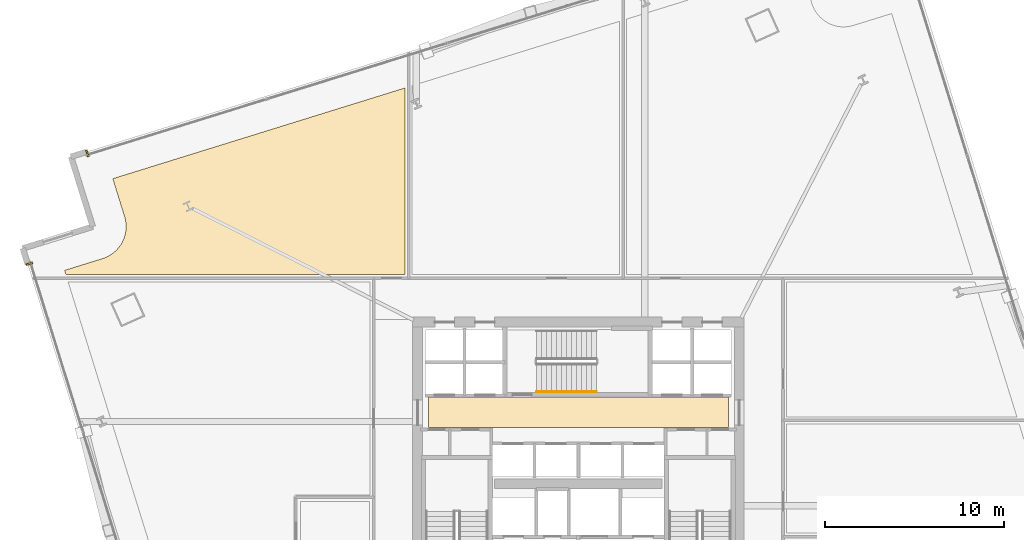
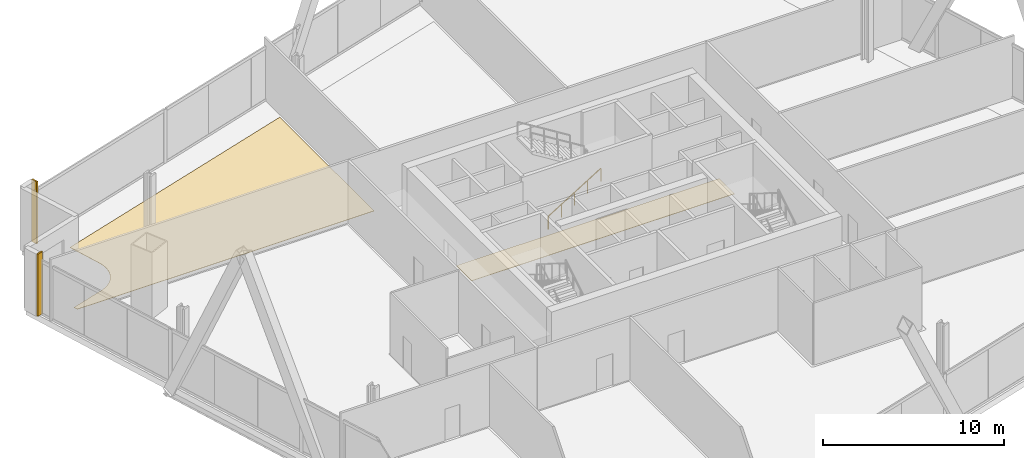
# One storey, part 24 of 26: 4 coverings, 1 railing.
"""IFC4 building model written with IfcOpenShell, lengths in metres."""

import ifcopenshell
import ifcopenshell.guid

model = None  # the IFC model being written
_history = None  # IfcOwnerHistory: only IFC2X3 demands one
_inside = {}  # id of a spatial element -> (the spatial element, [elements in it])
_under = {}  # id of a project, library or spatial element -> (it, [spatial elements below it])
_declared = {}  # id of a project -> (the project, [libraries it declares])
_typed = {}  # id of a type object -> (the type object, [elements of that type])
_made_of = {}  # id of a material, layer set ... -> (it, [elements and type objects made of it])


def new_model(schema):
    """Start an empty IFC model of exactly this schema.

    Asked for "IFC4X3", IfcOpenShell would pick the latest addendum, in which some entities
    have other attributes; the version numbers below select the first issue.
    IFC2X3 requires an IfcOwnerHistory on every rooted entity: one is made here for all.
    """
    global model, _history
    if schema == "IFC4X3":
        model = ifcopenshell.file(schema_version=(4, 3, 0, 0))
    else:
        model = ifcopenshell.file(schema=schema)
    _inside.clear()
    _under.clear()
    _declared.clear()
    _typed.clear()
    _made_of.clear()
    _history = None
    if model.schema == "IFC2X3":
        org = make("IfcOrganization", Name="unknown")
        user = make(
            "IfcPersonAndOrganization",
            ThePerson=make("IfcPerson", FamilyName="unknown"),
            TheOrganization=org,
        )
        app = make(
            "IfcApplication",
            ApplicationDeveloper=org,
            Version="unknown",
            ApplicationFullName="unknown",
            ApplicationIdentifier="unknown",
        )
        _history = make(
            "IfcOwnerHistory",
            OwningUser=user,
            OwningApplication=app,
            ChangeAction="ADDED",
            CreationDate=0,
        )
    return model


def make(cls, **values):
    """One entity of the class cls with the attributes given. An attribute that is None is left unset."""
    return model.create_entity(
        cls, **{name: value for name, value in values.items() if value is not None}
    )


def rooted(cls, **values):
    """An entity with a GlobalId (a new one), such as an element, a storey or a relation."""
    return make(cls, GlobalId=ifcopenshell.guid.new(), OwnerHistory=_history, **values)


def si_unit(unit_type, name, prefix=None):
    """IfcSIUnit, for example si_unit("LENGTHUNIT", "METRE", prefix="MILLI")."""
    return make("IfcSIUnit", UnitType=unit_type, Prefix=prefix, Name=name)


def assignment(units):
    """IfcUnitAssignment: the units of a project."""
    return None if units is None else make("IfcUnitAssignment", Units=units)


def point(xyz):
    """IfcCartesianPoint."""
    return None if xyz is None else make("IfcCartesianPoint", Coordinates=xyz)


def direction(xyz):
    """IfcDirection."""
    return None if xyz is None else make("IfcDirection", DirectionRatios=xyz)


def frame(location, z_axis=None, x_axis=None):
    """IfcAxis2Placement3D, a coordinate frame: its origin and axes. An axis left out is left unset."""
    return make(
        "IfcAxis2Placement3D",
        Location=point(location),
        Axis=direction(z_axis),
        RefDirection=direction(x_axis),
    )


def frame_2d(location, x_axis=None):
    """IfcAxis2Placement2D, a coordinate frame in the plane: its origin and x axis."""
    return make(
        "IfcAxis2Placement2D", Location=point(location), RefDirection=direction(x_axis)
    )


def origin():
    """The frame at (0, 0, 0) with its axes left unset."""
    return frame((0.0, 0.0, 0.0))


def origin_2d():
    """The frame at (0, 0) in the plane with its x axis left unset."""
    return frame_2d((0.0, 0.0))


def place(relative_to, where):
    """IfcLocalPlacement: puts the frame where relative to a parent placement (None: the world)."""
    return make(
        "IfcLocalPlacement", PlacementRelTo=relative_to, RelativePlacement=where
    )


def context(
    kind, dimensions, precision=None, world=None, true_north=None, identifier=None
):
    """IfcGeometricRepresentationContext, for example the 3D "Model" context."""
    return make(
        "IfcGeometricRepresentationContext",
        ContextIdentifier=identifier,
        ContextType=kind,
        CoordinateSpaceDimension=dimensions,
        Precision=precision,
        WorldCoordinateSystem=world,
        TrueNorth=true_north,
    )


def subcontext(parent, identifier, kind, view, scale=None):
    """IfcGeometricRepresentationSubContext, for example "Body" below "Model"."""
    return make(
        "IfcGeometricRepresentationSubContext",
        ContextIdentifier=identifier,
        ContextType=kind,
        ParentContext=parent,
        TargetScale=scale,
        TargetView=view,
    )


def project(units=None, contexts=None):
    """IfcProject with its units and contexts."""
    return rooted(
        "IfcProject",
        Name="project",
        RepresentationContexts=contexts,
        UnitsInContext=assignment(units),
    )


def spatial(cls, under=None, at=None, **own):
    """A site, building, storey or space (cls), placed at a placement, below another one or the project."""
    s = rooted(cls, ObjectPlacement=at, **own)
    if under is not None:
        _under.setdefault(under.id(), (under, []))[1].append(s)
    return s


def polyline(points):
    """IfcPolyline through the points."""
    return make("IfcPolyline", Points=[point(p) for p in points])


def profile(cls, at=None, kind="AREA", **sizes):
    """A parametric profile (cls). Its sizes go by their IFC names, for example OverallWidth=200.0."""
    return make(cls, ProfileType=kind, Position=at, **sizes)


def rectangle(**sizes):
    """IfcRectangleProfileDef."""
    return profile("IfcRectangleProfileDef", **sizes)


def outline(outer, holes=None, kind="AREA"):
    """IfcArbitraryClosedProfileDef: a profile drawn as a closed curve; with holes, ...WithVoids."""
    if holes is None:
        return make("IfcArbitraryClosedProfileDef", ProfileType=kind, OuterCurve=outer)
    return make(
        "IfcArbitraryProfileDefWithVoids",
        ProfileType=kind,
        OuterCurve=outer,
        InnerCurves=holes,
    )


def extrude(swept, where, along, depth):
    """IfcExtrudedAreaSolid: the profile swept, set in the frame where, extruded along a direction by depth."""
    return make(
        "IfcExtrudedAreaSolid",
        SweptArea=swept,
        Position=where,
        ExtrudedDirection=direction(along),
        Depth=depth,
    )


def shape(context_of_items, identifier, shape_type, items):
    """IfcShapeRepresentation: the items that make up one representation, for example the "Body"."""
    return make(
        "IfcShapeRepresentation",
        ContextOfItems=context_of_items,
        RepresentationIdentifier=identifier,
        RepresentationType=shape_type,
        Items=items,
    )


def source(mapping_origin, context_of_items, identifier, shape_type, items):
    """IfcRepresentationMap: a shape defined once, which mapped items show again and again."""
    return make(
        "IfcRepresentationMap",
        MappingOrigin=mapping_origin,
        MappedRepresentation=shape(context_of_items, identifier, shape_type, items),
    )


def transform(
    local_origin,
    x_axis=None,
    y_axis=None,
    z_axis=None,
    scale=None,
    scale2=None,
    scale3=None,
    uniform=True,
):
    """IfcCartesianTransformationOperator3D, or its non-uniform kind. x_axis, y_axis, z_axis: its Axis1, 2, 3."""
    if uniform:
        return make(
            "IfcCartesianTransformationOperator3D",
            Axis1=direction(x_axis),
            Axis2=direction(y_axis),
            LocalOrigin=point(local_origin),
            Scale=scale,
            Axis3=direction(z_axis),
        )
    return make(
        "IfcCartesianTransformationOperator3DnonUniform",
        Axis1=direction(x_axis),
        Axis2=direction(y_axis),
        LocalOrigin=point(local_origin),
        Scale=scale,
        Axis3=direction(z_axis),
        Scale2=scale2,
        Scale3=scale3,
    )


def mapped(mapping_source, mapping_target):
    """IfcMappedItem: shows the shape of a source again, moved by a transform."""
    return make(
        "IfcMappedItem", MappingSource=mapping_source, MappingTarget=mapping_target
    )


def material(Name=None, Category=None):
    """IfcMaterial."""
    return make("IfcMaterial", Name=Name, Category=Category)


def layer(
    of_material, thickness, ventilated=None, Name=None, Category=None, Priority=None
):
    """IfcMaterialLayer: one layer of a wall or slab, of a material (None: an air gap)."""
    return make(
        "IfcMaterialLayer",
        Material=of_material,
        LayerThickness=thickness,
        IsVentilated=ventilated,
        Name=Name,
        Category=Category,
        Priority=Priority,
    )


def layer_set(layers, Name=None):
    """IfcMaterialLayerSet."""
    return make("IfcMaterialLayerSet", MaterialLayers=layers, LayerSetName=Name)


def made_of(thing, what):
    """Note that an element or type object is made of a material, layer set ...; save() writes the relation."""
    if what is not None:
        _made_of.setdefault(what.id(), (what, []))[1].append(thing)
    return thing


def type_object(cls, material=None, **own):
    """A type object (cls), such as IfcWallType, which elements share."""
    return made_of(rooted(cls, **own), material)


def element(
    cls,
    number,
    at=None,
    inside=None,
    cuts=None,
    type_object=None,
    material=None,
    context=None,
    identifier="Body",
    shape_type=None,
    held_by="IfcProductDefinitionShape",
    body=None,
    shapes=None,
    **own,
):
    """One element of the class cls, such as IfcWall. Its Tag is "e" and its number.

    at: its placement. inside: the storey or other place that contains it. cuts: it is an
    opening in that element (IfcRelVoidsElement). A single representation is given by context,
    identifier, shape_type and body (its items); several are given by shapes. held_by: the class
    of the entity that holds the representations. save() writes the other relations.
    """
    e = rooted(cls, Tag="e%d" % number, ObjectPlacement=at, **own)
    if body is not None:
        shapes = [shape(context, identifier, shape_type, body)]
    if shapes is not None:
        e.Representation = make(held_by, Representations=shapes)
    if inside is not None:
        _inside.setdefault(inside.id(), (inside, []))[1].append(e)
    if cuts is not None:
        rooted(
            "IfcRelVoidsElement", RelatingBuildingElement=cuts, RelatedOpeningElement=e
        )
    if type_object is not None:
        _typed.setdefault(type_object.id(), (type_object, []))[1].append(e)
    return made_of(e, material)


def aggregate(whole, parts):
    """IfcRelAggregates: a whole, such as a stair, and the parts it consists of."""
    return rooted("IfcRelAggregates", RelatingObject=whole, RelatedObjects=parts)


def save(model, path):
    """Write the relations noted so far, then the file.

    IfcRelAggregates (storeys below a building ...), IfcRelContainedInSpatialStructure (elements
    in a storey), IfcRelDefinesByType, IfcRelAssociatesMaterial and IfcRelDeclares: one each for
    every whole, place, type object, material and project.
    """
    for whole, parts in _under.values():
        aggregate(whole, parts)
    for where, things in _inside.values():
        rooted(
            "IfcRelContainedInSpatialStructure",
            RelatedElements=things,
            RelatingStructure=where,
        )
    for kind, things in _typed.values():
        rooted("IfcRelDefinesByType", RelatedObjects=things, RelatingType=kind)
    for what, things in _made_of.values():
        rooted("IfcRelAssociatesMaterial", RelatedObjects=things, RelatingMaterial=what)
    for by, libraries in _declared.values():
        rooted("IfcRelDeclares", RelatingContext=by, RelatedDefinitions=libraries)
    model.write(path)


model = new_model("IFC4")

# Units and contexts
model_context = context("Model", 3, precision=1e-05, world=origin(), true_north=direction((0.0, 1.0)))
body_context = subcontext(model_context, "Body", "Model", "MODEL_VIEW")
ifc_project = project(units=[si_unit("LENGTHUNIT", "METRE"), si_unit("AREAUNIT", "SQUARE_METRE"), si_unit("VOLUMEUNIT", "CUBIC_METRE"), si_unit("PLANEANGLEUNIT", "RADIAN"), si_unit("MASSUNIT", "GRAM", prefix="KILO")], contexts=[model_context])

# Site, building, storey
site_placement = place(None, origin())
site = spatial("IfcSite", under=ifc_project, at=site_placement, CompositionType="ELEMENT")
building_placement = place(site_placement, origin())
building = spatial("IfcBuilding", under=site, at=building_placement, Name="Haldenkirk Collegiate Tower", CompositionType="ELEMENT")
storey_placement = place(building_placement, frame((0.0, 0.0, 85.949951171875)))
storey = spatial("IfcBuildingStorey", under=building, at=storey_placement, Name="L20", CompositionType="ELEMENT", Elevation=85.949951171875)

# Coverings
ifc_material_1 = material(Name="Polished collegiate terrazzo", Category="concrete")
ifc_layer_1 = layer(ifc_material_1, 0.02490234375)
ifc_layer_set_1 = layer_set([ifc_layer_1], Name="Polished collegiate terrazzo")
covering_type_1 = type_object("IfcCoveringType", Name="COV-FLOOR-TERRAZZO", PredefinedType="FLOORING", material=ifc_layer_set_1)
covering_1_placement = place(storey_placement, origin())
element("IfcCovering", 1, at=covering_1_placement, inside=storey, type_object=covering_type_1, Name="L20 polished terrazzo lobby finish", PredefinedType="FLOORING", context=body_context, shape_type="SweptSolid", body=[
    extrude(outline(polyline([(27.60009765625, 28.10009765625), (44.39990234375, 28.10009765625), (44.39990234375, 29.800048828125), (27.60009765625, 29.800048828125), (27.60009765625, 28.10009765625)])), origin(), (0.0, 0.0, 1.0), 0.025146484375),
])
ifc_material_2 = material(Name="Engineered collegiate oak acoustic flooring", Category="wood")
ifc_layer_2 = layer(ifc_material_2, 0.02197265625)
ifc_layer_set_2 = layer_set([ifc_layer_2], Name="Engineered collegiate oak acoustic flooring")
covering_type_2 = type_object("IfcCoveringType", Name="COV-FLOOR-TIMBER", PredefinedType="FLOORING", material=ifc_layer_set_2)
covering_2_placement = place(storey_placement, origin())
element("IfcCovering", 2, at=covering_2_placement, inside=storey, type_object=covering_type_2, Name="L20 academic room finish 05", PredefinedType="FLOORING", context=body_context, shape_type="SweptSolid", body=[
    extrude(outline(polyline([(9.3759765625, 37.5546875), (9.381591796875, 37.556396484375), (9.54296875, 37.615478515625), (9.553955078125, 37.6201171875), (9.70849609375, 37.694580078125), (9.71875, 37.7001953125), (9.865478515625, 37.789306640625), (9.875244140625, 37.7958984375), (10.0126953125, 37.899169921875), (10.021728515625, 37.906494140625), (10.148193359375, 38.022705078125), (10.156494140625, 38.03125), (10.27099609375, 38.1591796875), (10.2783203125, 38.168212890625), (10.379638671875, 38.306884765625), (10.38623046875, 38.31689453125), (10.473388671875, 38.464599609375), (10.47900390625, 38.47509765625), (10.551513671875, 38.630859375), (10.555908203125, 38.6416015625), (10.612548828125, 38.8037109375), (10.615966796875, 38.815185546875), (10.65673828125, 38.98193359375), (10.658935546875, 38.993408203125), (10.68310546875, 39.16357421875), (10.68408203125, 39.17529296875), (10.69140625, 39.3466796875), (10.69140625, 39.358642578125), (10.681640625, 39.530029296875), (10.680419921875, 39.541748046875), (10.654296875, 39.71142578125), (10.65185546875, 39.722900390625), (10.60888671875, 39.889404296875), (10.607421875, 39.89501953125), (9.946044921875, 42.02490234375), (26.300048828125, 47.102783203125), (26.300048828125, 36.64990234375), (7.322021484375, 36.64990234375), (7.246337890625, 36.893310546875), (9.3759765625, 37.5546875)])), origin(), (0.0, 0.0, 1.0), 0.02197265625),
])

# Railing
ifc_material_3 = material(Name="Painted architectural tubular steel", Category="steel")
railing_type = type_object("IfcRailingType", Name="RLG-STAIR-HANDRAIL-900", PredefinedType="HANDRAIL", material=ifc_material_3)
railing_placement = place(storey_placement, frame((33.64990234375, 30.10009765625, 0.173095703125)))
element("IfcRailing", 3, at=railing_placement, inside=storey, type_object=railing_type, Name="L20 ST-3 stair handrail 1", PredefinedType="HANDRAIL", context=body_context, shape_type="SweptSolid", body=[
    extrude(rectangle(XDim=0.048095703125, YDim=0.048095703125, at=origin_2d()), frame((0.0, 0.0, 0.8759765625), z_axis=(0.850623216509, 0.0, 0.525775754039), x_axis=(0.0, 1.0, 0.0)), (0.0, 0.0, 1.0), 3.9501953125),
    extrude(rectangle(XDim=0.0419921875, YDim=0.0419921875, at=origin_2d()), origin(), (0.0, 0.0, 1.0), 0.851806640625),
    extrude(rectangle(XDim=0.0419921875, YDim=0.0419921875, at=origin_2d()), frame((0.840087890625, 0.0, 0.519287109375)), (0.0, 0.0, 1.0), 0.851806640625),
    extrude(rectangle(XDim=0.0419921875, YDim=0.0419921875, at=origin_2d()), frame((1.68017578125, 0.0, 1.03857421875)), (0.0, 0.0, 1.0), 0.851806640625),
    extrude(rectangle(XDim=0.0419921875, YDim=0.0419921875, at=origin_2d()), frame((2.52001953125, 0.0, 1.5576171875)), (0.0, 0.0, 1.0), 0.851806640625),
    extrude(rectangle(XDim=0.0419921875, YDim=0.0419921875, at=origin_2d()), frame((3.360107421875, 0.0, 2.076904296875)), (0.0, 0.0, 1.0), 0.851806640625),
])

# Coverings
ifc_material_4 = material(Name="Anodised architectural bronze aluminium", Category="aluminium")
ifc_layer_3 = layer(ifc_material_4, 0.06005859375)
ifc_layer_set_3 = layer_set([ifc_layer_3], Name="Anodised architectural bronze aluminium")
covering_type_3 = type_object("IfcCoveringType", Name="COV-CLAD-BRONZE-60", PredefinedType="CLADDING", material=ifc_layer_set_3)
shared_shape = source(origin(), body_context, "Body", "SweptSolid", [
    extrude(rectangle(XDim=0.10009765625, YDim=0.3798828125, at=origin_2d()), origin(), (0.0, 0.0, 1.0), 4.199951171875),
])
for number, where, z_axis, x_axis, name in (
    (4, (8.5205078125, 43.44580078125, 0.0), (0.0, 0.0, 1.0), (0.955019944457, 0.296541574976, 0.0), "L20 recessed curtain-wall bronze jamb closure NJL"),
    (5, (5.267578125, 37.26318359375, 0.0), (0.0, 0.0, 1.0), (-0.296541574976, 0.955019944457, 0.0), "L20 recessed curtain-wall bronze jamb closure WJR"),
):
    element("IfcCovering", number, at=place(storey_placement, frame(where, z_axis=z_axis, x_axis=x_axis)), inside=storey, type_object=covering_type_3, Name=name, PredefinedType="CLADDING", context=body_context, shape_type="MappedRepresentation", body=[
        mapped(shared_shape, transform((0.0, 0.0, 0.0), x_axis=(1.0, 0.0, 0.0), y_axis=(0.0, 1.0, 0.0), z_axis=(0.0, 0.0, 1.0), scale=1.0)),
    ])

save(model, "model.ifc")
